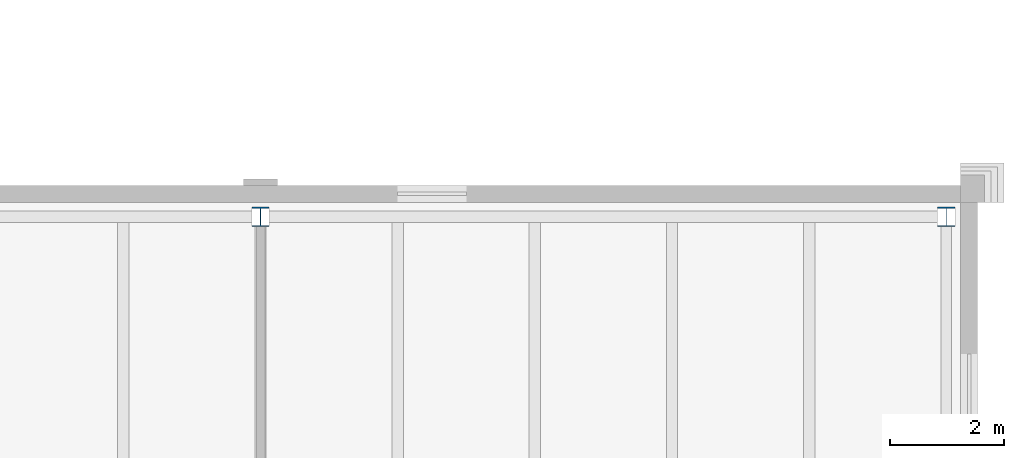
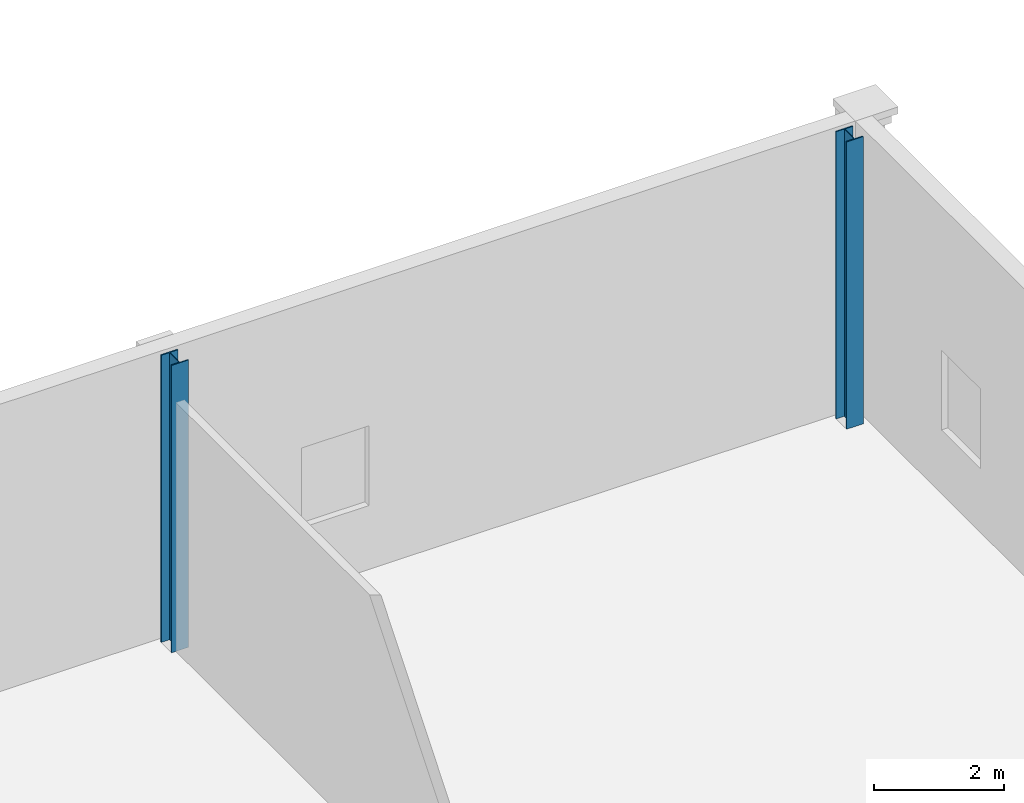
# One storey, part 12 of 321: 2 columns.
"""IFC4 building model written with IfcOpenShell, lengths in metres."""

from ifc_helpers import new_model, si_unit, direction, frame, origin, origin_2d, place, context, subcontext, project, spatial, i_section, extrude, material, material_profile, profile_set, type_object, element, save


model = new_model("IFC4")

# Units and contexts
model_context = context("Model", 3, precision=1e-05, world=origin(), true_north=direction((0.0, 1.0)))
body_context = subcontext(model_context, "Body", "Model", "MODEL_VIEW")
ifc_project = project(units=[si_unit("LENGTHUNIT", "METRE"), si_unit("AREAUNIT", "SQUARE_METRE"), si_unit("VOLUMEUNIT", "CUBIC_METRE"), si_unit("PLANEANGLEUNIT", "RADIAN"), si_unit("MASSUNIT", "GRAM", prefix="KILO")], contexts=[model_context])

# Site, building, storey
site_placement = place(None, origin())
site = spatial("IfcSite", under=ifc_project, at=site_placement, CompositionType="ELEMENT")
building_placement = place(site_placement, origin())
building = spatial("IfcBuilding", under=site, at=building_placement, Name="Ravi Spectrum Wholesale Market", CompositionType="ELEMENT")
storey_placement = place(building_placement, frame((0.0, 0.0, 10.800048828125)))
storey = spatial("IfcBuildingStorey", under=building, at=storey_placement, Name="L02", CompositionType="ELEMENT", Elevation=10.800048828125)

# Columns
ifc_material = material(Name="Steel S355", Category="steel")
ifc_material_profile = material_profile(ifc_material, i_section(OverallWidth=0.300048828125, OverallDepth=0.340087890625, WebThickness=0.011962890625, FlangeThickness=0.021484375, at=origin_2d()))
ifc_profile_set = profile_set([ifc_material_profile], Name="Steel S355")
column_type = type_object("IfcColumnType", Name="HEB 340 column", PredefinedType="COLUMN", material=ifc_profile_set)
for number, where, z_axis, x_axis, name in (
    (1, (270.0, 66.0, 0.0), (0.0, 0.0, 1.0), (1.0, 0.0, 0.0), "CS-COL-L02-035"),
    (2, (282.0, 66.0, 0.0), (0.0, 0.0, 1.0), (1.0, 0.0, 0.0), "CS-COL-L02-040"),
):
    element("IfcColumn", number, at=place(storey_placement, frame(where, z_axis=z_axis, x_axis=x_axis)), inside=storey, type_object=column_type, Name=name, PredefinedType="COLUMN", context=body_context, shape_type="SweptSolid", body=[
        extrude(i_section(OverallWidth=0.300048828125, OverallDepth=0.340087890625, WebThickness=0.011962890625, FlangeThickness=0.021484375, at=origin_2d()), origin(), (0.0, 0.0, 1.0), 5.39990234375),
    ])

save(model, "model.ifc")
